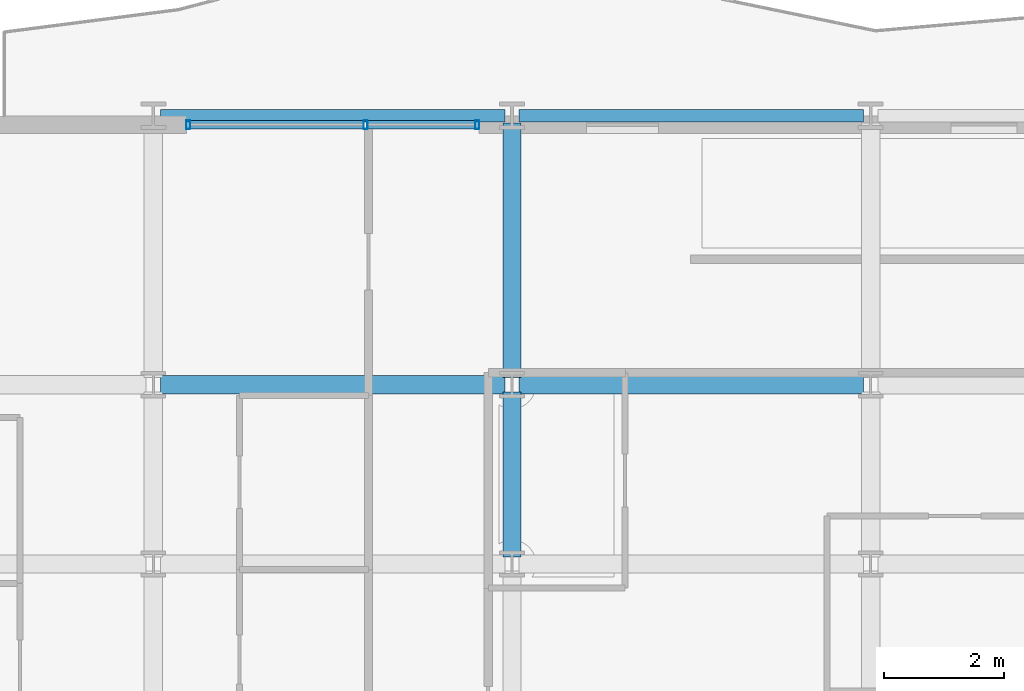
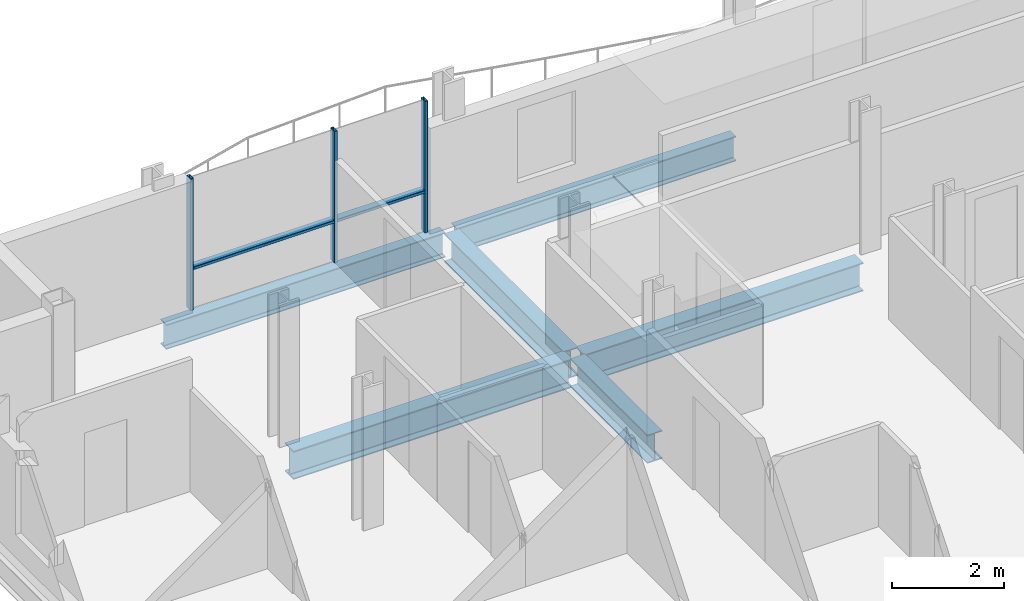
# One storey, part 7 of 38: 6 beams, 5 members, 1 element without a shape of its own.
"""IFC4 building model written with IfcOpenShell, lengths in metres."""

from ifc_helpers import new_model, si_unit, direction, frame, origin, origin_2d, place, context, subcontext, project, spatial, hollow_rectangle, i_section, extrude, material, layer, layer_set, material_profile, profile_set, type_object, element, aggregate, save


model = new_model("IFC4")

# Units and contexts
model_context = context("Model", 3, precision=1e-05, world=origin(), true_north=direction((0.0, 1.0)))
body_context = subcontext(model_context, "Body", "Model", "MODEL_VIEW")
ifc_project = project(units=[si_unit("LENGTHUNIT", "METRE"), si_unit("AREAUNIT", "SQUARE_METRE"), si_unit("VOLUMEUNIT", "CUBIC_METRE"), si_unit("PLANEANGLEUNIT", "RADIAN"), si_unit("MASSUNIT", "GRAM", prefix="KILO")], contexts=[model_context])

# Site, building, storey
site_placement = place(None, origin())
site = spatial("IfcSite", under=ifc_project, at=site_placement, CompositionType="ELEMENT")
building_placement = place(site_placement, origin())
building = spatial("IfcBuilding", under=site, at=building_placement, Name="Brevholm Reach", CompositionType="ELEMENT")
storey_placement = place(building_placement, frame((0.0, 0.0, 65.199951171875)))
storey = spatial("IfcBuildingStorey", under=building, at=storey_placement, Name="L18", CompositionType="ELEMENT", Elevation=65.199951171875)

# Beams
ifc_material_1 = material(Name="Structural Steel S355J2", Category="steel")
ifc_material_profile_1 = material_profile(ifc_material_1, i_section(OverallWidth=0.210693359375, OverallDepth=0.53955078125, WebThickness=0.01171875, FlangeThickness=0.018798828125, FilletRadius=0.0126953125, at=origin_2d()), Name="UKB 533x210x109")
ifc_profile_set_1 = profile_set([ifc_material_profile_1], Name="Structural Steel S355J2")
beam_type_1 = type_object("IfcBeamType", Name="BM-SP539", PredefinedType="SPANDREL", material=ifc_profile_set_1)
for number, where, z_axis, x_axis, name in (
    (1, (6.1201171875, 31.0, -0.499755859375), (1.0, 0.0, 0.0), (0.0, 1.0, 0.0), "L18 SP-01B Framing Beam"),
    (2, (12.1201171875, 31.0, -0.499755859375), (1.0, 0.0, 0.0), (0.0, 1.0, 0.0), "L18 SP-01B Framing Beam"),
):
    element("IfcBeam", number, at=place(storey_placement, frame(where, z_axis=z_axis, x_axis=x_axis)), inside=storey, type_object=beam_type_1, Name=name, PredefinedType="SPANDREL", context=body_context, shape_type="SweptSolid", body=[
        extrude(i_section(OverallWidth=0.210693359375, OverallDepth=0.53955078125, WebThickness=0.01171875, FlangeThickness=0.018798828125, FilletRadius=0.0126953125, at=origin_2d()), origin(), (0.0, 0.0, 1.0), 5.759765625),
    ])
ifc_material_2 = material(Name="Structural Steel S355J2", Category="steel")
ifc_material_profile_2 = material_profile(ifc_material_2, i_section(OverallWidth=0.30712890625, OverallDepth=0.6201171875, WebThickness=0.01416015625, FlangeThickness=0.023681640625, FilletRadius=0.0166015625, at=origin_2d()), Name="UKB 610x305x179")
ifc_profile_set_2 = profile_set([ifc_material_profile_2], Name="Structural Steel S355J2")
beam_type_2 = type_object("IfcBeamType", Name="BM-UKB610H", PredefinedType="USERDEFINED", material=ifc_profile_set_2)
for number, where, z_axis, x_axis, name in (
    (3, (6.1201171875, 26.5, -0.5400390625), (1.0, 0.0, 0.0), (0.0, 1.0, 0.0), "L18 G-06 Framing Beam"),
    (4, (12.1201171875, 26.5, -0.5400390625), (1.0, 0.0, 0.0), (0.0, 1.0, 0.0), "L18 G-06 Framing Beam"),
):
    element("IfcBeam", number, at=place(storey_placement, frame(where, z_axis=z_axis, x_axis=x_axis)), inside=storey, type_object=beam_type_2, Name=name, ObjectType="GIRDER", PredefinedType="USERDEFINED", context=body_context, shape_type="SweptSolid", body=[
        extrude(i_section(OverallWidth=0.30712890625, OverallDepth=0.6201171875, WebThickness=0.01416015625, FlangeThickness=0.023681640625, FilletRadius=0.0166015625, at=origin_2d()), origin(), (0.0, 0.0, 1.0), 5.759765625),
    ])
beam_1_placement = place(storey_placement, frame((12.0, 23.6201171875, -0.5400390625), z_axis=(0.0, 1.0, 0.0), x_axis=(-1.0, 0.0, 0.0)))
element("IfcBeam", 5, at=beam_1_placement, inside=storey, type_object=beam_type_2, Name="L18 G-06 Framing Beam", ObjectType="GIRDER", PredefinedType="USERDEFINED", context=body_context, shape_type="SweptSolid", body=[
    extrude(i_section(OverallWidth=0.30712890625, OverallDepth=0.6201171875, WebThickness=0.01416015625, FlangeThickness=0.023681640625, FilletRadius=0.0166015625, at=origin_2d()), origin(), (0.0, 0.0, 1.0), 2.759765625),
])
beam_2_placement = place(storey_placement, frame((12.0, 26.6201171875, -0.5400390625), z_axis=(0.0, 1.0, 0.0), x_axis=(-1.0, 0.0, 0.0)))
element("IfcBeam", 6, at=beam_2_placement, inside=storey, type_object=beam_type_2, Name="L18 G-06 Framing Beam", ObjectType="GIRDER", PredefinedType="USERDEFINED", context=body_context, shape_type="SweptSolid", body=[
    extrude(i_section(OverallWidth=0.30712890625, OverallDepth=0.6201171875, WebThickness=0.01416015625, FlangeThickness=0.023681640625, FilletRadius=0.0166015625, at=origin_2d()), origin(), (0.0, 0.0, 1.0), 4.259765625),
])

# Curtain wall, members
ifc_material_3 = material(Name="Dark Anodised Aluminium 6063-T6 and Solar-Control Glass", Category="aluminium")
ifc_layer = layer(ifc_material_3, 0.14990234375)
ifc_layer_set = layer_set([ifc_layer], Name="Dark Anodised Aluminium 6063-T6 and Solar-Control Glass")
curtain_wall_type = type_object("IfcCurtainWallType", Name="CW-01", PredefinedType="NOTDEFINED", material=ifc_layer_set)
curtain_wall_placement = place(storey_placement, origin())
curtain_wall = element("IfcCurtainWall", 7, at=curtain_wall_placement, inside=storey, type_object=curtain_wall_type, Name="L18 Curtain Wall CW-01", PredefinedType="NOTDEFINED")
ifc_material_4 = material(Name="Dark Anodised Aluminium 6063-T6", Category="aluminium")
ifc_material_profile_3 = material_profile(ifc_material_4, hollow_rectangle(XDim=0.06494140625, YDim=0.14990234375, WallThickness=0.0048828125, InnerFilletRadius=0.0048828125, OuterFilletRadius=0.010009765625, at=origin_2d()), Name="RHS 150x65x5")
ifc_profile_set_3 = profile_set([ifc_material_profile_3], Name="Dark Anodised Aluminium 6063-T6")
member_type_1 = type_object("IfcMemberType", Name="CWM-150", PredefinedType="MULLION", material=ifc_profile_set_3)
member_1_placement = place(storey_placement, frame((6.58251953125, 30.85009765625, 0.0), z_axis=(0.0, 0.0, 1.0), x_axis=(1.0, 0.0, 0.0)))
member_1 = element("IfcMember", 8, at=member_1_placement, type_object=member_type_1, Name="CM-150 Mullion 1", PredefinedType="MULLION", context=body_context, shape_type="SweptSolid", body=[
    extrude(hollow_rectangle(XDim=0.06494140625, YDim=0.14990234375, WallThickness=0.0048828125, InnerFilletRadius=0.0048828125, OuterFilletRadius=0.010009765625, at=origin_2d()), origin(), (0.0, 0.0, 1.0), 2.8701171875),
])
member_2_placement = place(storey_placement, frame((9.550048828125, 30.85009765625, 0.0), z_axis=(0.0, 0.0, 1.0), x_axis=(1.0, 0.0, 0.0)))
member_2 = element("IfcMember", 9, at=member_2_placement, type_object=member_type_1, Name="CM-150 Mullion 2", PredefinedType="MULLION", context=body_context, shape_type="SweptSolid", body=[
    extrude(hollow_rectangle(XDim=0.06494140625, YDim=0.14990234375, WallThickness=0.0048828125, InnerFilletRadius=0.0048828125, OuterFilletRadius=0.010009765625, at=origin_2d()), origin(), (0.0, 0.0, 1.0), 2.8701171875),
])
member_3_placement = place(storey_placement, frame((11.41748046875, 30.85009765625, 0.0), z_axis=(0.0, 0.0, 1.0), x_axis=(1.0, 0.0, 0.0)))
member_3 = element("IfcMember", 10, at=member_3_placement, type_object=member_type_1, Name="CM-150 Mullion 3", PredefinedType="MULLION", context=body_context, shape_type="SweptSolid", body=[
    extrude(hollow_rectangle(XDim=0.06494140625, YDim=0.14990234375, WallThickness=0.0048828125, InnerFilletRadius=0.0048828125, OuterFilletRadius=0.010009765625, at=origin_2d()), origin(), (0.0, 0.0, 1.0), 2.8701171875),
])
ifc_material_5 = material(Name="Dark Anodised Aluminium 6063-T6", Category="aluminium")
ifc_material_profile_4 = material_profile(ifc_material_5, hollow_rectangle(XDim=0.06494140625, YDim=0.14990234375, WallThickness=0.0048828125, InnerFilletRadius=0.0048828125, OuterFilletRadius=0.010009765625, at=origin_2d()), Name="RHS 150x65x5")
ifc_profile_set_4 = profile_set([ifc_material_profile_4], Name="Dark Anodised Aluminium 6063-T6")
member_type_2 = type_object("IfcMemberType", Name="CWT-150", PredefinedType="NOTDEFINED", material=ifc_profile_set_4)
member_4_placement = place(storey_placement, frame((6.614990234375, 30.85009765625, 0.900146484375), z_axis=(1.0, 0.0, 0.0), x_axis=(0.0, 0.0, 1.0)))
member_4 = element("IfcMember", 11, at=member_4_placement, type_object=member_type_2, Name="CT-150 Transom 1.1", ObjectType="TRANSOM", PredefinedType="USERDEFINED", context=body_context, shape_type="SweptSolid", body=[
    extrude(hollow_rectangle(XDim=0.06494140625, YDim=0.14990234375, WallThickness=0.0048828125, InnerFilletRadius=0.0048828125, OuterFilletRadius=0.010009765625, at=origin_2d()), origin(), (0.0, 0.0, 1.0), 2.902587890625),
])
member_5_placement = place(storey_placement, frame((9.58251953125, 30.85009765625, 0.900146484375), z_axis=(1.0, 0.0, 0.0), x_axis=(0.0, 0.0, 1.0)))
member_5 = element("IfcMember", 12, at=member_5_placement, type_object=member_type_2, Name="CT-150 Transom 2.1", ObjectType="TRANSOM", PredefinedType="USERDEFINED", context=body_context, shape_type="SweptSolid", body=[
    extrude(hollow_rectangle(XDim=0.06494140625, YDim=0.14990234375, WallThickness=0.0048828125, InnerFilletRadius=0.0048828125, OuterFilletRadius=0.010009765625, at=origin_2d()), origin(), (0.0, 0.0, 1.0), 1.802490234375),
])
aggregate(curtain_wall, [member_1, member_2, member_3, member_4, member_5])

save(model, "model.ifc")
